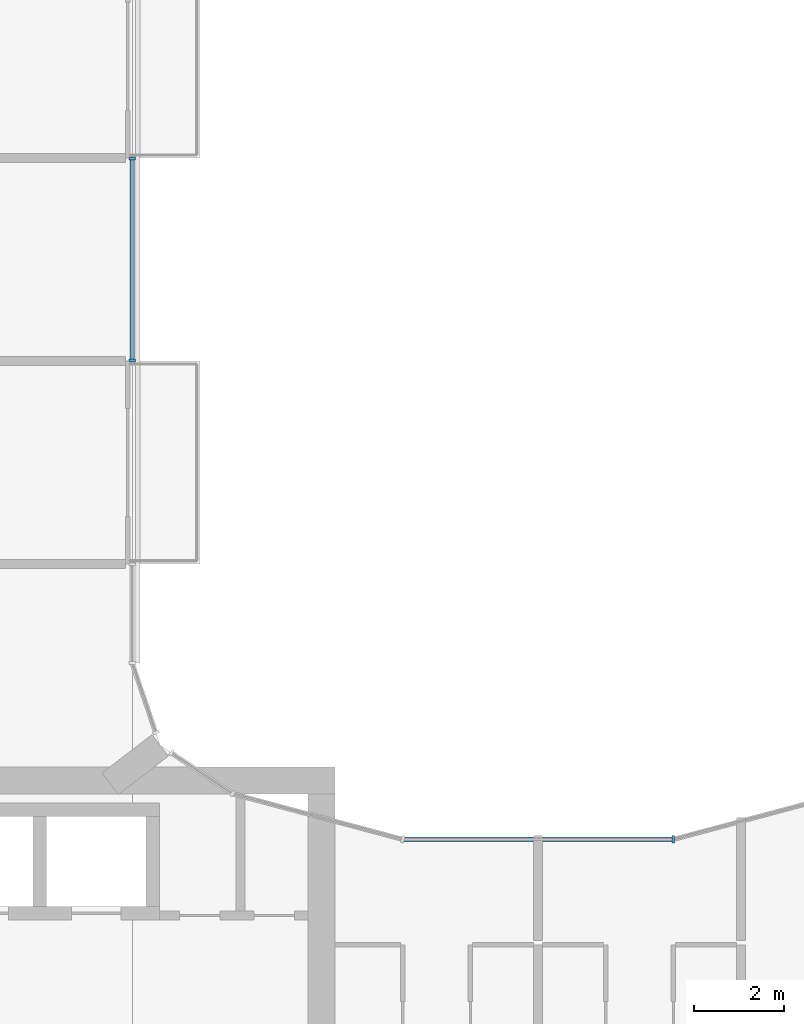
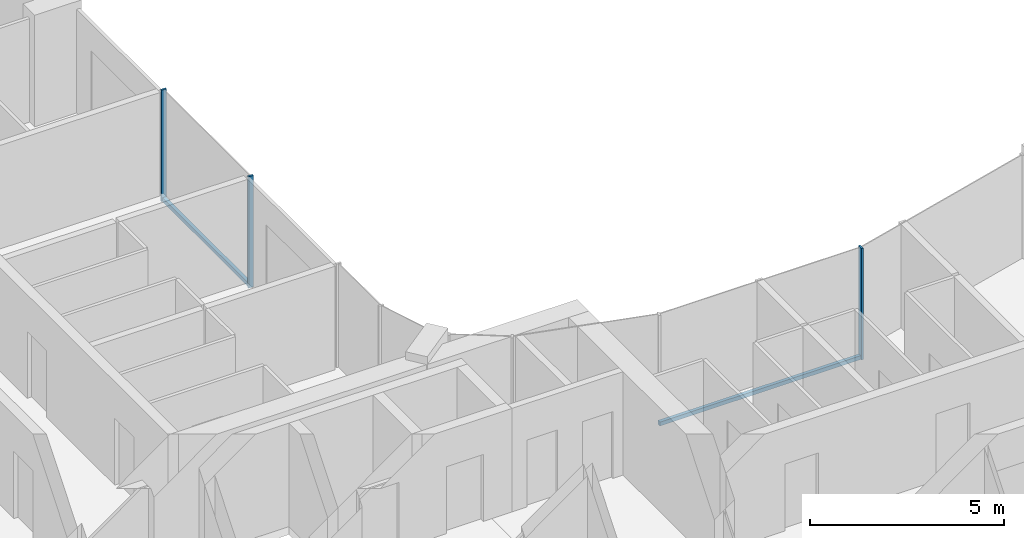
# One storey, part 5 of 16: 5 members, 2 elements without a shape of their own.
"""IFC4 building model written with IfcOpenShell, lengths in metres."""

from ifc_helpers import new_model, si_unit, direction, frame, origin, origin_2d, place, context, subcontext, project, spatial, rectangle, extrude, material, layer, layer_set, material_profile, profile_set, type_object, element, aggregate, save


model = new_model("IFC4")

# Units and contexts
model_context = context("Model", 3, precision=1e-05, world=origin(), true_north=direction((0.0, 1.0)))
body_context = subcontext(model_context, "Body", "Model", "MODEL_VIEW")
ifc_project = project(units=[si_unit("LENGTHUNIT", "METRE"), si_unit("AREAUNIT", "SQUARE_METRE"), si_unit("VOLUMEUNIT", "CUBIC_METRE"), si_unit("PLANEANGLEUNIT", "RADIAN"), si_unit("MASSUNIT", "GRAM", prefix="KILO")], contexts=[model_context])

# Site, building, storey
site_placement = place(None, origin())
site = spatial("IfcSite", under=ifc_project, at=site_placement, CompositionType="ELEMENT")
building_placement = place(site_placement, origin())
building = spatial("IfcBuilding", under=site, at=building_placement, Name="Plateau Cross Towers", CompositionType="ELEMENT")
storey_placement = place(building_placement, frame((0.0, 0.0, 163.89990234375)))
storey = spatial("IfcBuildingStorey", under=building, at=storey_placement, Name="L42", CompositionType="ELEMENT", Elevation=163.89990234375)

# Curtain wall, members
ifc_material_1 = material(Name="Dark low-iron glass", Category="glass")
ifc_layer_1 = layer(ifc_material_1, 0.239990234375)
ifc_layer_set_1 = layer_set([ifc_layer_1], Name="Dark low-iron glass")
curtain_wall_type_1 = type_object("IfcCurtainWallType", Name="Curtain wall flush unitised CW-B", PredefinedType="NOTDEFINED", material=ifc_layer_set_1)
curtain_wall_1_placement = place(storey_placement, origin())
curtain_wall_1 = element("IfcCurtainWall", 1, at=curtain_wall_1_placement, inside=storey, type_object=curtain_wall_type_1, Name="ENV/A/L42/A180_270", PredefinedType="NOTDEFINED")
ifc_material_2 = material(Name="Black anodised aluminium", Category="aluminium")
ifc_material_profile_1 = material_profile(ifc_material_2, rectangle(XDim=0.06005859375, YDim=0.139892578125, at=origin_2d()), Name="MULLION 60x140")
ifc_profile_set_1 = profile_set([ifc_material_profile_1], Name="Black anodised aluminium")
member_type_1 = type_object("IfcMemberType", Name="Mullion 60x140 flush unitised", PredefinedType="MULLION", material=ifc_profile_set_1)
member_1_placement = place(storey_placement, frame((18.0, 27.010009765625, -0.25), z_axis=(0.0, 0.0, 1.0), x_axis=(0.0, 1.0, 0.0)))
member_1 = element("IfcMember", 2, at=member_1_placement, type_object=member_type_1, Name="CW-B mullion 1", PredefinedType="MULLION", context=body_context, shape_type="SweptSolid", body=[
    extrude(rectangle(XDim=0.06005859375, YDim=0.139892578125, at=origin_2d()), origin(), (0.0, 0.0, 1.0), 3.5),
])
member_2_placement = place(storey_placement, frame((18.0, 31.489990234375, -0.25), z_axis=(0.0, 0.0, 1.0), x_axis=(0.0, 1.0, 0.0)))
member_2 = element("IfcMember", 3, at=member_2_placement, type_object=member_type_1, Name="CW-B mullion 2", PredefinedType="MULLION", context=body_context, shape_type="SweptSolid", body=[
    extrude(rectangle(XDim=0.06005859375, YDim=0.139892578125, at=origin_2d()), origin(), (0.0, 0.0, 1.0), 3.5),
])

# Curtain wall, member
ifc_layer_2 = layer(ifc_material_1, 0.260009765625)
ifc_layer_set_2 = layer_set([ifc_layer_2], Name="Dark low-iron glass")
curtain_wall_type_2 = type_object("IfcCurtainWallType", Name="Curtain wall fluted unitised CW-A", PredefinedType="NOTDEFINED", material=ifc_layer_set_2)
curtain_wall_2_placement = place(storey_placement, origin())
curtain_wall_2 = element("IfcCurtainWall", 4, at=curtain_wall_2_placement, inside=storey, type_object=curtain_wall_type_2, Name="ENV/A/L42/A300_164", PredefinedType="NOTDEFINED")
ifc_material_profile_2 = material_profile(ifc_material_2, rectangle(XDim=0.06005859375, YDim=0.159912109375, at=origin_2d()), Name="MULLION 60x160")
ifc_profile_set_2 = profile_set([ifc_material_profile_2], Name="Black anodised aluminium")
member_type_2 = type_object("IfcMemberType", Name="Mullion 60x160 fluted unitised", PredefinedType="MULLION", material=ifc_profile_set_2)
member_3_placement = place(storey_placement, frame((30.0, 16.39306640625, -0.25), z_axis=(0.0, 0.0, 1.0), x_axis=(-1.0, 0.0, 0.0)))
member_3 = element("IfcMember", 5, at=member_3_placement, type_object=member_type_2, Name="CW-A mullion 1", PredefinedType="MULLION", context=body_context, shape_type="SweptSolid", body=[
    extrude(rectangle(XDim=0.06005859375, YDim=0.159912109375, at=origin_2d()), origin(), (0.0, 0.0, 1.0), 3.5),
])

# Member
ifc_material_profile_3 = material_profile(ifc_material_2, rectangle(XDim=0.10009765625, YDim=0.1201171875, at=origin_2d()), Name="TRANSOM 100x120")
ifc_profile_set_3 = profile_set([ifc_material_profile_3], Name="Black anodised aluminium")
member_type_3 = type_object("IfcMemberType", Name="Transom 100x120 flush unitised", PredefinedType="USERDEFINED", material=ifc_profile_set_3)
member_4_placement = place(storey_placement, frame((18.0, 27.010009765625, -0.18994140625), z_axis=(0.0, 1.0, 0.0), x_axis=(-1.0, 0.0, 0.0)))
member_4 = element("IfcMember", 6, at=member_4_placement, type_object=member_type_3, Name="CW-B transom", ObjectType="TRANSOM", PredefinedType="USERDEFINED", context=body_context, shape_type="SweptSolid", body=[
    extrude(rectangle(XDim=0.10009765625, YDim=0.1201171875, at=origin_2d()), origin(), (0.0, 0.0, 1.0), 4.47998046875),
])

aggregate(curtain_wall_1, [member_1, member_2, member_4])

ifc_material_profile_4 = material_profile(ifc_material_2, rectangle(XDim=0.10009765625, YDim=0.1201171875, at=origin_2d()), Name="TRANSOM 100x120")
ifc_profile_set_4 = profile_set([ifc_material_profile_4], Name="Black anodised aluminium")
member_type_4 = type_object("IfcMemberType", Name="Transom 100x120 fluted unitised", PredefinedType="USERDEFINED", material=ifc_profile_set_4)
member_5_placement = place(storey_placement, frame((30.0, 16.39306640625, -0.18994140625), z_axis=(-1.0, 0.0, 0.0), x_axis=(0.0, -1.0, 0.0)))
member_5 = element("IfcMember", 7, at=member_5_placement, type_object=member_type_4, Name="CW-A transom", ObjectType="TRANSOM", PredefinedType="USERDEFINED", context=body_context, shape_type="SweptSolid", body=[
    extrude(rectangle(XDim=0.10009765625, YDim=0.1201171875, at=origin_2d()), origin(), (0.0, 0.0, 1.0), 6.0),
])

aggregate(curtain_wall_2, [member_3, member_5])

save(model, "model.ifc")
